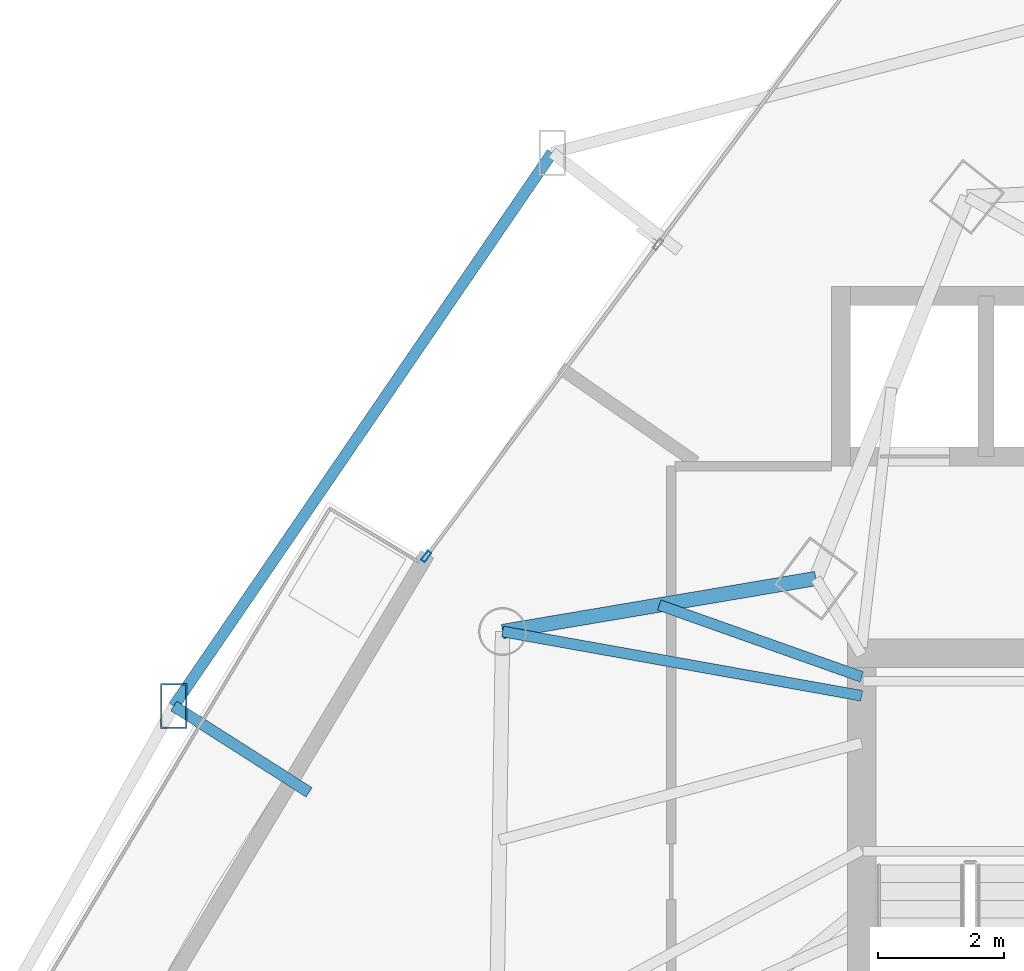
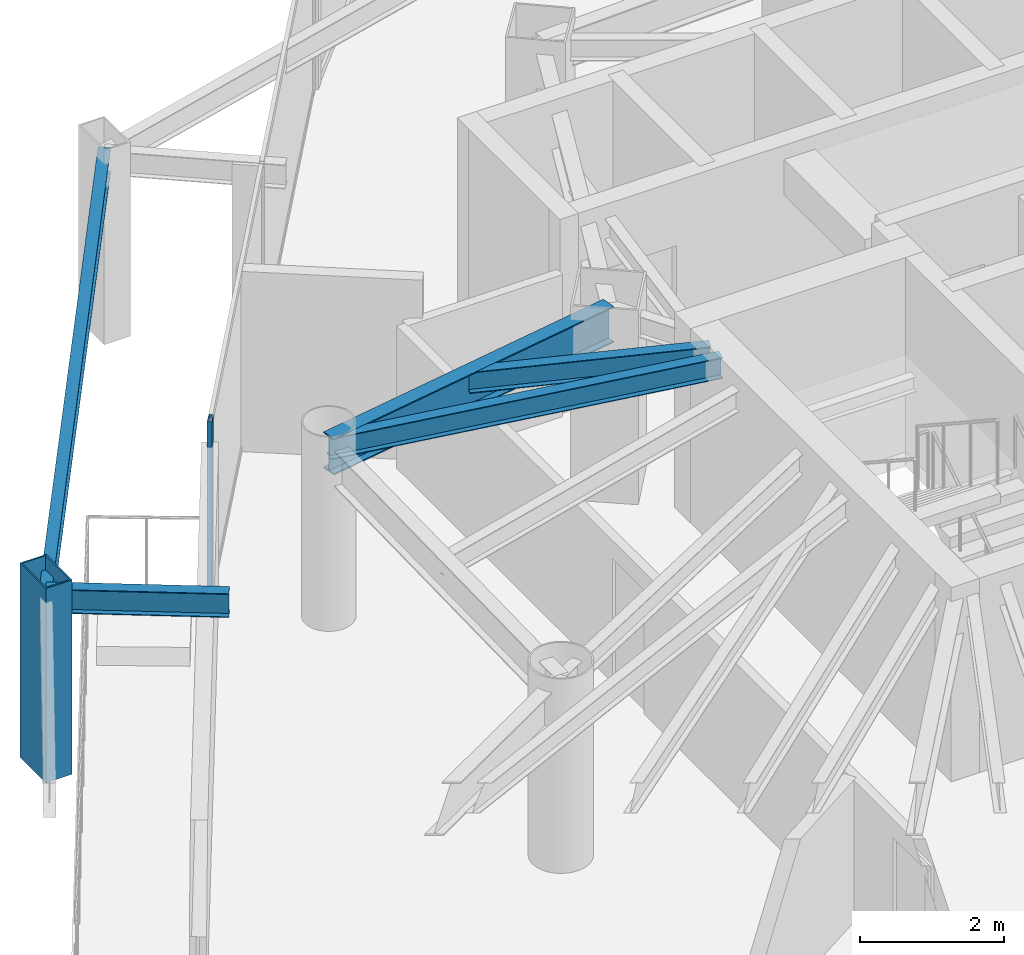
# One storey, part 20 of 34: 5 beams, 2 members, 1 element without a shape of its own.
"""IFC4 building model written with IfcOpenShell, lengths in metres."""

from ifc_helpers import new_model, si_unit, direction, frame, origin, origin_2d, place, context, subcontext, project, spatial, hollow_rectangle, i_section, extrude, material, layer, layer_set, material_profile, profile_set, type_object, element, aggregate, save


model = new_model("IFC4")

# Units and contexts
model_context = context("Model", 3, precision=1e-05, world=origin(), true_north=direction((0.0, 1.0)))
body_context = subcontext(model_context, "Body", "Model", "MODEL_VIEW")
ifc_project = project(units=[si_unit("LENGTHUNIT", "METRE"), si_unit("AREAUNIT", "SQUARE_METRE"), si_unit("VOLUMEUNIT", "CUBIC_METRE"), si_unit("PLANEANGLEUNIT", "RADIAN"), si_unit("MASSUNIT", "GRAM", prefix="KILO")], contexts=[model_context])

# Site, building, storey
site_placement = place(None, origin())
site = spatial("IfcSite", under=ifc_project, at=site_placement, CompositionType="ELEMENT")
building_placement = place(site_placement, origin())
building = spatial("IfcBuilding", under=site, at=building_placement, Name="Orvanel Arch Residences", CompositionType="ELEMENT")
storey_placement = place(building_placement, frame((0.0, 0.0, 67.550048828125)))
storey = spatial("IfcBuildingStorey", under=building, at=storey_placement, Name="L18", CompositionType="ELEMENT", Elevation=67.550048828125)

# Beams
ifc_material_1 = material(Name="Structural steel AS/NZS 3679.1 Grade 300 (300 MPa)", Category="steel")
ifc_material_profile_1 = material_profile(ifc_material_1, i_section(OverallWidth=0.1708984375, OverallDepth=0.35595703125, WebThickness=0.00732421875, FlangeThickness=0.011474609375, at=origin_2d()), Name="360UB50.7")
ifc_profile_set_1 = profile_set([ifc_material_profile_1], Name="Structural steel AS/NZS 3679.1 Grade 300 (300 MPa)")
beam_type_1 = type_object("IfcBeamType", Name="BJ-360UB", PredefinedType="JOIST", material=ifc_profile_set_1)
beam_1_placement = place(storey_placement, frame((26.375, 33.25, 2.8818359375), z_axis=(-0.984360855662, 0.176163860766, 0.0), x_axis=(-0.176163860766, -0.984360855662, 0.0)))
element("IfcBeam", 1, at=beam_1_placement, inside=storey, type_object=beam_type_1, Name="L18 LW Wing Floor Joist", PredefinedType="JOIST", context=body_context, shape_type="SweptSolid", body=[
    extrude(i_section(OverallWidth=0.1708984375, OverallDepth=0.35595703125, WebThickness=0.00732421875, FlangeThickness=0.011474609375, at=origin_2d()), origin(), (0.0, 0.0, 1.0), 5.795654296875),
])
beam_2_placement = place(storey_placement, frame((26.375, 33.550048828125, 2.8818359375), z_axis=(-0.942366638377, 0.334582006201, 0.0), x_axis=(-0.334582006201, -0.942366638377, 0.0)))
element("IfcBeam", 2, at=beam_2_placement, inside=storey, type_object=beam_type_1, Name="L18 JADD3 Wing Floor Joist", PredefinedType="JOIST", context=body_context, shape_type="SweptSolid", body=[
    extrude(i_section(OverallWidth=0.1708984375, OverallDepth=0.35595703125, WebThickness=0.00732421875, FlangeThickness=0.011474609375, at=origin_2d()), origin(), (0.0, 0.0, 1.0), 3.412841796875),
])

# Member
ifc_material_2 = material(Name="Structural steel AS/NZS 3678 Grade 350", Category="steel")
ifc_material_profile_2 = material_profile(ifc_material_2, hollow_rectangle(XDim=0.419921875, YDim=0.719970703125, WallThickness=0.02490234375, at=origin_2d()), Name="RHS720x420x25")
ifc_profile_set_2 = profile_set([ifc_material_profile_2], Name="Structural steel AS/NZS 3678 Grade 350")
member_type_1 = type_object("IfcMemberType", Name="CH-720RHS-EXT", PredefinedType="CHORD", material=ifc_profile_set_2)
member_1_placement = place(storey_placement, frame((15.445068359375, 33.0869140625, 0.0), z_axis=(0.0, 0.0, 1.0), x_axis=(1.0, 0.0, 0.0)))
element("IfcMember", 3, at=member_1_placement, inside=storey, type_object=member_type_1, Name="L18 Outer Perimeter Frame Post 02", PredefinedType="CHORD", context=body_context, shape_type="SweptSolid", body=[
    extrude(hollow_rectangle(XDim=0.419921875, YDim=0.719970703125, WallThickness=0.02490234375, at=origin_2d()), origin(), (0.0, 0.0, 1.0), 3.300048828125),
])

# Curtain wall, member
ifc_material_3 = material(Name="Bronze-anodised aluminium AA6063-T6", Category="aluminium")
ifc_layer = layer(ifc_material_3, 0.179931640625)
ifc_layer_set = layer_set([ifc_layer], Name="Bronze-anodised aluminium AA6063-T6")
curtain_wall_type = type_object("IfcCurtainWallType", Name="CW2-LOW-SYS", PredefinedType="NOTDEFINED", material=ifc_layer_set)
curtain_wall_placement = place(storey_placement, origin())
curtain_wall = element("IfcCurtainWall", 4, at=curtain_wall_placement, inside=storey, type_object=curtain_wall_type, Name="L18 CW2-LOW-SYS Unitised Curtain Wall", PredefinedType="NOTDEFINED")
ifc_material_profile_3 = material_profile(ifc_material_3, hollow_rectangle(XDim=0.070068359375, YDim=0.179931640625, WallThickness=0.00439453125, at=origin_2d()), Name="ALU180x70x4.5")
ifc_profile_set_3 = profile_set([ifc_material_profile_3], Name="Bronze-anodised aluminium AA6063-T6")
member_type_2 = type_object("IfcMemberType", Name="MUL-180x70", PredefinedType="MULLION", material=ifc_profile_set_3)
member_2_placement = place(storey_placement, frame((19.455810546875, 35.461181640625, 0.0), z_axis=(0.0, 0.0, 1.0), x_axis=(0.802983727568, -0.596000950722, 0.0)))
member_2 = element("IfcMember", 5, at=member_2_placement, type_object=member_type_2, Name="CW-S2 mullion 3", PredefinedType="MULLION", context=body_context, shape_type="SweptSolid", body=[
    extrude(hollow_rectangle(XDim=0.070068359375, YDim=0.179931640625, WallThickness=0.00439453125, at=origin_2d()), origin(), (0.0, 0.0, 1.0), 3.06005859375),
])
aggregate(curtain_wall, [member_2])

# Beams
ifc_material_profile_4 = material_profile(ifc_material_1, i_section(OverallWidth=0.177978515625, OverallDepth=0.406005859375, WebThickness=0.0078125, FlangeThickness=0.0126953125, at=origin_2d()), Name="410UB59.7")
ifc_profile_set_4 = profile_set([ifc_material_profile_4], Name="Structural steel AS/NZS 3679.1 Grade 300 (300 MPa)")
beam_type_2 = type_object("IfcBeamType", Name="OB-410UB-EXT", PredefinedType="SPANDREL", material=ifc_profile_set_4)
beam_3_placement = place(storey_placement, frame((21.4580078125, 41.8798828125, 2.85693359375), z_axis=(-0.564472739348, -0.8254517106, 0.0), x_axis=(0.8254517106, -0.564472739348, 0.0)))
element("IfcBeam", 6, at=beam_3_placement, inside=storey, type_object=beam_type_2, Name="L18 Outer Perimeter Floor Ring Beam 01", PredefinedType="SPANDREL", context=body_context, shape_type="SweptSolid", body=[
    extrude(i_section(OverallWidth=0.177978515625, OverallDepth=0.406005859375, WebThickness=0.0078125, FlangeThickness=0.0126953125, at=origin_2d()), origin(), (0.0, 0.0, 1.0), 10.65234375),
])
beam_4_placement = place(storey_placement, frame((17.594970703125, 31.715087890625, 2.85693359375), z_axis=(-0.843002565739, 0.537909540868, 0.0), x_axis=(-0.537909540868, -0.843002565739, 0.0)))
element("IfcBeam", 7, at=beam_4_placement, inside=storey, type_object=beam_type_2, Name="L18 Outer Frame Radial Tie Beam 02", PredefinedType="SPANDREL", context=body_context, shape_type="SweptSolid", body=[
    extrude(i_section(OverallWidth=0.177978515625, OverallDepth=0.406005859375, WebThickness=0.0078125, FlangeThickness=0.0126953125, at=origin_2d()), origin(), (0.0, 0.0, 1.0), 2.55029296875),
])
ifc_material_profile_5 = material_profile(ifc_material_1, i_section(OverallWidth=0.22900390625, OverallDepth=0.612060546875, WebThickness=0.011962890625, FlangeThickness=0.01953125, at=origin_2d()), Name="610UB125")
ifc_profile_set_5 = profile_set([ifc_material_profile_5], Name="Structural steel AS/NZS 3679.1 Grade 300 (300 MPa)")
beam_type_3 = type_object("IfcBeamType", Name="SP-610UB", PredefinedType="SPANDREL", material=ifc_profile_set_5)
beam_5_placement = place(storey_placement, frame((25.64794921875, 35.113037109375, 2.75390625), z_axis=(-0.985993733897, -0.166782363326, 0.0), x_axis=(0.166782363326, -0.985993733897, 0.0)))
element("IfcBeam", 8, at=beam_5_placement, inside=storey, type_object=beam_type_3, Name="L18 Perimeter Spandrel Beam 19", PredefinedType="SPANDREL", context=body_context, shape_type="SweptSolid", body=[
    extrude(i_section(OverallWidth=0.22900390625, OverallDepth=0.612060546875, WebThickness=0.011962890625, FlangeThickness=0.01953125, at=origin_2d()), origin(), (0.0, 0.0, 1.0), 5.048828125),
])

save(model, "model.ifc")
